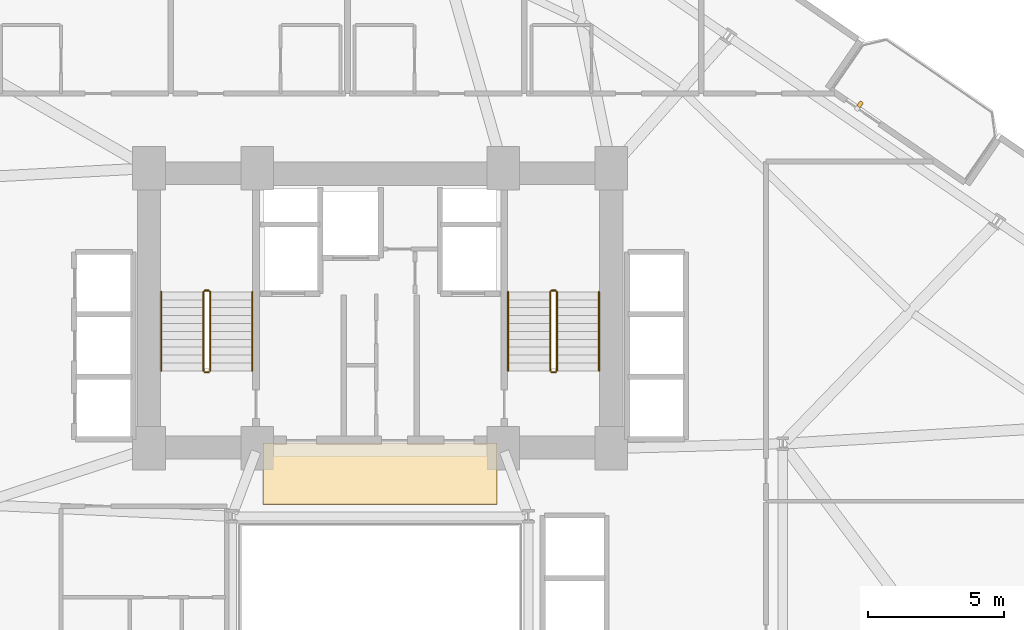
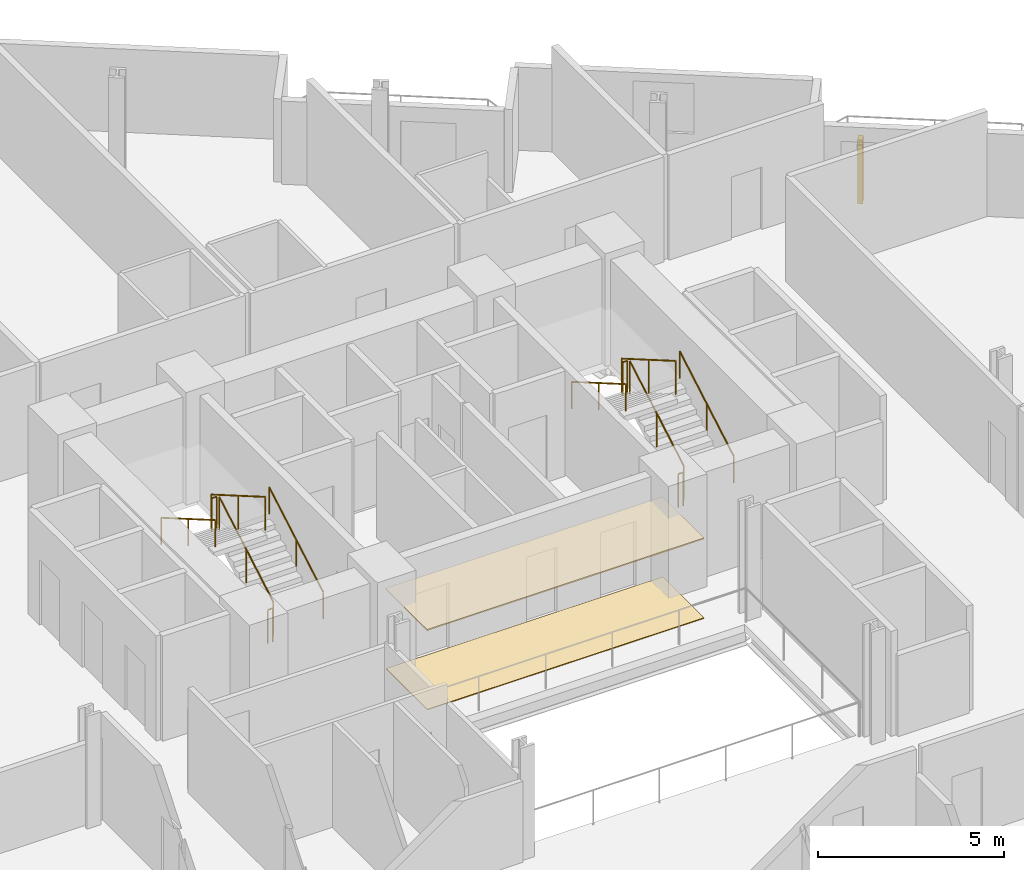
# One storey, part 26 of 27: 12 railings, 2 coverings, 1 shading device.
"""IFC4 building model written with IfcOpenShell, lengths in metres."""

from ifc_helpers import new_model, si_unit, direction, frame, origin, origin_2d, place, context, subcontext, project, spatial, rectangle, circle, extrude, source, transform, mapped, material, layer, layer_set, type_object, element, save


model = new_model("IFC4")

# Units and contexts
model_context = context("Model", 3, precision=1e-05, world=origin(), true_north=direction((0.0, 1.0)))
body_context = subcontext(model_context, "Body", "Model", "MODEL_VIEW")
ifc_project = project(units=[si_unit("LENGTHUNIT", "METRE"), si_unit("AREAUNIT", "SQUARE_METRE"), si_unit("VOLUMEUNIT", "CUBIC_METRE"), si_unit("PLANEANGLEUNIT", "RADIAN"), si_unit("MASSUNIT", "GRAM", prefix="KILO")], contexts=[model_context])

# Site, building, storey
site_placement = place(None, origin())
site = spatial("IfcSite", under=ifc_project, at=site_placement, CompositionType="ELEMENT")
building_placement = place(site_placement, origin())
building = spatial("IfcBuilding", under=site, at=building_placement, Name="Varnelok Gate Tower", CompositionType="ELEMENT")
storey_placement = place(building_placement, frame((0.0, 0.0, 60.300048828125)))
storey = spatial("IfcBuildingStorey", under=building, at=storey_placement, Name="L14", CompositionType="ELEMENT", Elevation=60.300048828125)

# Railings
ifc_material_1 = material(Name="Brushed Stainless Steel AISI 316", Category="steel")
railing_type_1 = type_object("IfcRailingType", Name="RL-HANDRAIL-900", PredefinedType="HANDRAIL", material=ifc_material_1)
railing_1_placement = place(storey_placement, frame((34.5, 31.60009765625, 0.168212890625)))
element("IfcRailing", 1, at=railing_1_placement, inside=storey, type_object=railing_type_1, Name="L14 ST-1 stair handrail 1", PredefinedType="HANDRAIL", context=body_context, shape_type="SweptSolid", body=[
    extrude(circle(Radius=0.02392578125, at=origin_2d()), frame((0.0, 0.0, 0.8759765625), z_axis=(0.0, 0.86507038078, 0.501650512107), x_axis=(-1.0, 0.0, 0.0)), (0.0, 0.0, 1.0), 3.352294921875),
    extrude(circle(Radius=0.02099609375, at=origin_2d()), origin(), (0.0, 0.0, 1.0), 0.851806640625),
    extrude(circle(Radius=0.02099609375, at=origin_2d()), frame((0.0, 1.449951171875, 0.8408203125)), (0.0, 0.0, 1.0), 0.851806640625),
    extrude(circle(Radius=0.02099609375, at=origin_2d()), frame((0.0, 2.89990234375, 1.681640625)), (0.0, 0.0, 1.0), 0.851806640625),
])
railing_2_placement = place(storey_placement, frame((31.14990234375, 34.5, 2.01806640625)))
element("IfcRailing", 2, at=railing_2_placement, inside=storey, type_object=railing_type_1, Name="L14 ST-1 stair handrail 2", PredefinedType="HANDRAIL", context=body_context, shape_type="SweptSolid", body=[
    extrude(circle(Radius=0.02392578125, at=origin_2d()), frame((0.0, 0.0, 0.8759765625), z_axis=(0.0, -0.865038774852, 0.501705010941), x_axis=(1.0, 0.0, 0.0)), (0.0, 0.0, 1.0), 3.352294921875),
    extrude(circle(Radius=0.02099609375, at=origin_2d()), origin(), (0.0, 0.0, 1.0), 0.851806640625),
    extrude(circle(Radius=0.02099609375, at=origin_2d()), frame((0.0, -1.449951171875, 0.8408203125)), (0.0, 0.0, 1.0), 0.851806640625),
    extrude(circle(Radius=0.02099609375, at=origin_2d()), frame((0.0, -2.89990234375, 1.681884765625)), (0.0, 0.0, 1.0), 0.851806640625),
])
railing_3_placement = place(storey_placement, frame((47.25, 31.60009765625, 0.168212890625)))
element("IfcRailing", 3, at=railing_3_placement, inside=storey, type_object=railing_type_1, Name="L14 ST-2 stair handrail 1", PredefinedType="HANDRAIL", context=body_context, shape_type="SweptSolid", body=[
    extrude(circle(Radius=0.02392578125, at=origin_2d()), frame((0.0, 0.0, 0.8759765625), z_axis=(0.0, 0.86507038078, 0.501650512107), x_axis=(-1.0, 0.0, 0.0)), (0.0, 0.0, 1.0), 3.352294921875),
    extrude(circle(Radius=0.02099609375, at=origin_2d()), origin(), (0.0, 0.0, 1.0), 0.851806640625),
    extrude(circle(Radius=0.02099609375, at=origin_2d()), frame((0.0, 1.449951171875, 0.8408203125)), (0.0, 0.0, 1.0), 0.851806640625),
    extrude(circle(Radius=0.02099609375, at=origin_2d()), frame((0.0, 2.89990234375, 1.681640625)), (0.0, 0.0, 1.0), 0.851806640625),
])
railing_4_placement = place(storey_placement, frame((43.89990234375, 34.5, 2.01806640625)))
element("IfcRailing", 4, at=railing_4_placement, inside=storey, type_object=railing_type_1, Name="L14 ST-2 stair handrail 2", PredefinedType="HANDRAIL", context=body_context, shape_type="SweptSolid", body=[
    extrude(circle(Radius=0.02392578125, at=origin_2d()), frame((0.0, 0.0, 0.8759765625), z_axis=(0.0, -0.865038774852, 0.501705010941), x_axis=(1.0, 0.0, 0.0)), (0.0, 0.0, 1.0), 3.352294921875),
    extrude(circle(Radius=0.02099609375, at=origin_2d()), origin(), (0.0, 0.0, 1.0), 0.851806640625),
    extrude(circle(Radius=0.02099609375, at=origin_2d()), frame((0.0, -1.449951171875, 0.8408203125)), (0.0, 0.0, 1.0), 0.851806640625),
    extrude(circle(Radius=0.02099609375, at=origin_2d()), frame((0.0, -2.89990234375, 1.681884765625)), (0.0, 0.0, 1.0), 0.851806640625),
])
ifc_material_2 = material(Name="Galvanized Steel Grade S350GD", Category="steel")
railing_type_2 = type_object("IfcRailingType", Name="RL-STAIR-GUARD1120", PredefinedType="GUARDRAIL", material=ifc_material_2)
railing_5_placement = place(storey_placement, frame((32.949951171875, 31.60009765625, 0.168212890625)))
element("IfcRailing", 5, at=railing_5_placement, inside=storey, type_object=railing_type_2, Name="L14 ST-1 stair guard 1", PredefinedType="GUARDRAIL", context=body_context, shape_type="SweptSolid", body=[
    extrude(circle(Radius=0.02392578125, at=origin_2d()), frame((0.0, 0.0, 1.09619140625), z_axis=(0.0, 0.86507038078, 0.501650512107), x_axis=(-1.0, 0.0, 0.0)), (0.0, 0.0, 1.0), 3.352294921875),
    extrude(circle(Radius=0.02099609375, at=origin_2d()), origin(), (0.0, 0.0, 1.0), 1.072021484375),
    extrude(circle(Radius=0.02099609375, at=origin_2d()), frame((0.0, 1.449951171875, 0.8408203125)), (0.0, 0.0, 1.0), 1.072021484375),
    extrude(circle(Radius=0.02099609375, at=origin_2d()), frame((0.0, 2.89990234375, 1.681640625)), (0.0, 0.0, 1.0), 1.072021484375),
])
railing_6_placement = place(storey_placement, frame((32.89990234375, 34.550048828125, 1.849853515625)))
element("IfcRailing", 6, at=railing_6_placement, inside=storey, type_object=railing_type_2, Name="L14 ST-1 stair guard 2", PredefinedType="GUARDRAIL", context=body_context, shape_type="SweptSolid", body=[
    extrude(circle(Radius=0.02392578125, at=origin_2d()), frame((0.0, 0.0, 1.09619140625), z_axis=(-1.0, 0.0, 0.0), x_axis=(0.0, -1.0, 0.0)), (0.0, 0.0, 1.0), 0.14990234375),
    extrude(circle(Radius=0.02099609375, at=origin_2d()), origin(), (0.0, 0.0, 1.0), 1.072021484375),
    extrude(circle(Radius=0.02099609375, at=origin_2d()), frame((-0.14990234375, 0.0, 0.0)), (0.0, 0.0, 1.0), 1.072021484375),
])
railing_7_placement = place(storey_placement, frame((32.699951171875, 34.5, 2.01806640625)))
element("IfcRailing", 7, at=railing_7_placement, inside=storey, type_object=railing_type_2, Name="L14 ST-1 stair guard 3", PredefinedType="GUARDRAIL", context=body_context, shape_type="SweptSolid", body=[
    extrude(circle(Radius=0.02392578125, at=origin_2d()), frame((0.0, 0.0, 1.09619140625), z_axis=(0.0, -0.865038774852, 0.501705010941), x_axis=(1.0, 0.0, 0.0)), (0.0, 0.0, 1.0), 3.352294921875),
    extrude(circle(Radius=0.02099609375, at=origin_2d()), origin(), (0.0, 0.0, 1.0), 1.072021484375),
    extrude(circle(Radius=0.02099609375, at=origin_2d()), frame((0.0, -1.449951171875, 0.8408203125)), (0.0, 0.0, 1.0), 1.072021484375),
    extrude(circle(Radius=0.02099609375, at=origin_2d()), frame((0.0, -2.89990234375, 1.681884765625)), (0.0, 0.0, 1.0), 1.072021484375),
])
railing_8_placement = place(storey_placement, frame((32.89990234375, 31.550048828125, 0.0)))
element("IfcRailing", 8, at=railing_8_placement, inside=storey, type_object=railing_type_2, Name="L14 ST-1 stair guard 4", PredefinedType="GUARDRAIL", context=body_context, shape_type="SweptSolid", body=[
    extrude(circle(Radius=0.02392578125, at=origin_2d()), frame((0.0, 0.0, 1.09619140625), z_axis=(-1.0, 0.0, 0.0), x_axis=(0.0, -1.0, 0.0)), (0.0, 0.0, 1.0), 0.14990234375),
    extrude(circle(Radius=0.02099609375, at=origin_2d()), origin(), (0.0, 0.0, 1.0), 1.072021484375),
    extrude(circle(Radius=0.02099609375, at=origin_2d()), frame((-0.14990234375, 0.0, 0.0)), (0.0, 0.0, 1.0), 1.072021484375),
])
railing_9_placement = place(storey_placement, frame((45.699951171875, 31.60009765625, 0.168212890625)))
element("IfcRailing", 9, at=railing_9_placement, inside=storey, type_object=railing_type_2, Name="L14 ST-2 stair guard 1", PredefinedType="GUARDRAIL", context=body_context, shape_type="SweptSolid", body=[
    extrude(circle(Radius=0.02392578125, at=origin_2d()), frame((0.0, 0.0, 1.09619140625), z_axis=(0.0, 0.86507038078, 0.501650512107), x_axis=(-1.0, 0.0, 0.0)), (0.0, 0.0, 1.0), 3.352294921875),
    extrude(circle(Radius=0.02099609375, at=origin_2d()), origin(), (0.0, 0.0, 1.0), 1.072021484375),
    extrude(circle(Radius=0.02099609375, at=origin_2d()), frame((0.0, 1.449951171875, 0.8408203125)), (0.0, 0.0, 1.0), 1.072021484375),
    extrude(circle(Radius=0.02099609375, at=origin_2d()), frame((0.0, 2.89990234375, 1.681640625)), (0.0, 0.0, 1.0), 1.072021484375),
])
railing_10_placement = place(storey_placement, frame((45.64990234375, 34.550048828125, 1.849853515625)))
element("IfcRailing", 10, at=railing_10_placement, inside=storey, type_object=railing_type_2, Name="L14 ST-2 stair guard 2", PredefinedType="GUARDRAIL", context=body_context, shape_type="SweptSolid", body=[
    extrude(circle(Radius=0.02392578125, at=origin_2d()), frame((0.0, 0.0, 1.09619140625), z_axis=(-1.0, 0.0, 0.0), x_axis=(0.0, -1.0, 0.0)), (0.0, 0.0, 1.0), 0.14990234375),
    extrude(circle(Radius=0.02099609375, at=origin_2d()), origin(), (0.0, 0.0, 1.0), 1.072021484375),
    extrude(circle(Radius=0.02099609375, at=origin_2d()), frame((-0.14990234375, 0.0, 0.0)), (0.0, 0.0, 1.0), 1.072021484375),
])
railing_11_placement = place(storey_placement, frame((45.449951171875, 34.5, 2.01806640625)))
element("IfcRailing", 11, at=railing_11_placement, inside=storey, type_object=railing_type_2, Name="L14 ST-2 stair guard 3", PredefinedType="GUARDRAIL", context=body_context, shape_type="SweptSolid", body=[
    extrude(circle(Radius=0.02392578125, at=origin_2d()), frame((0.0, 0.0, 1.09619140625), z_axis=(0.0, -0.865038774852, 0.501705010941), x_axis=(1.0, 0.0, 0.0)), (0.0, 0.0, 1.0), 3.352294921875),
    extrude(circle(Radius=0.02099609375, at=origin_2d()), origin(), (0.0, 0.0, 1.0), 1.072021484375),
    extrude(circle(Radius=0.02099609375, at=origin_2d()), frame((0.0, -1.449951171875, 0.8408203125)), (0.0, 0.0, 1.0), 1.072021484375),
    extrude(circle(Radius=0.02099609375, at=origin_2d()), frame((0.0, -2.89990234375, 1.681884765625)), (0.0, 0.0, 1.0), 1.072021484375),
])
railing_12_placement = place(storey_placement, frame((45.64990234375, 31.550048828125, 0.0)))
element("IfcRailing", 12, at=railing_12_placement, inside=storey, type_object=railing_type_2, Name="L14 ST-2 stair guard 4", PredefinedType="GUARDRAIL", context=body_context, shape_type="SweptSolid", body=[
    extrude(circle(Radius=0.02392578125, at=origin_2d()), frame((0.0, 0.0, 1.09619140625), z_axis=(-1.0, 0.0, 0.0), x_axis=(0.0, -1.0, 0.0)), (0.0, 0.0, 1.0), 0.14990234375),
    extrude(circle(Radius=0.02099609375, at=origin_2d()), origin(), (0.0, 0.0, 1.0), 1.072021484375),
    extrude(circle(Radius=0.02099609375, at=origin_2d()), frame((-0.14990234375, 0.0, 0.0)), (0.0, 0.0, 1.0), 1.072021484375),
])

# Shading device
ifc_material_3 = material(Name="Glazed Architectural Terracotta Ceramic", Category="masonry")
shading_device_type = type_object("IfcShadingDeviceType", Name="SHD-TERRA-BAGUETTE", PredefinedType="USERDEFINED", material=ifc_material_3)
shared_shape_1 = source(origin(), body_context, "Body", "SweptSolid", [
    extrude(rectangle(XDim=0.139892578125, YDim=0.219970703125, at=origin_2d()), origin(), (0.0, 0.0, 1.0), 2.10009765625),
])
shading_device_placement = place(storey_placement, frame((56.847412109375, 41.400390625, 0.099853515625), z_axis=(0.0, 0.0, 1.0), x_axis=(0.823532597628, -0.567268949127, 0.0)))
element("IfcShadingDevice", 13, at=shading_device_placement, inside=storey, type_object=shading_device_type, Name="L14 Terracotta Ceramic Baguette Sunscreen 4.1", ObjectType="BAGUETTE", PredefinedType="USERDEFINED", context=body_context, shape_type="MappedRepresentation", body=[
    mapped(shared_shape_1, transform((0.0, 0.0, 0.0), scale=1.0)),
])

# Coverings
ifc_material_4 = material(Name="Honed Travertine Stone Flooring", Category="masonry")
ifc_layer_1 = layer(ifc_material_4, 0.02490234375)
ifc_layer_set_1 = layer_set([ifc_layer_1], Name="Honed Travertine Stone Flooring")
covering_type_1 = type_object("IfcCoveringType", Name="COV-FLOR-STONE", PredefinedType="FLOORING", material=ifc_layer_set_1)
shared_shape_2 = source(origin(), body_context, "Body", "SweptSolid", [
    extrude(rectangle(XDim=8.60009765625, YDim=2.219970703125, at=origin_2d()), origin(), (0.0, 0.0, 1.0), 0.02490234375),
])
covering_1_placement = place(storey_placement, frame((39.199951171875, 27.800048828125, 0.0), z_axis=(0.0, 0.0, 1.0), x_axis=(1.0, 0.0, 0.0)))
element("IfcCovering", 14, at=covering_1_placement, inside=storey, type_object=covering_type_1, Name="L14 Core Gallery Stone Flooring", PredefinedType="FLOORING", context=body_context, shape_type="MappedRepresentation", body=[
    mapped(shared_shape_2, transform((0.0, 0.0, 0.0), scale=1.0)),
])
ifc_material_5 = material(Name="Mineral Fiber Acoustic Ceiling Tile")
ifc_layer_2 = layer(ifc_material_5, 0.0400390625)
ifc_layer_set_2 = layer_set([ifc_layer_2], Name="Mineral Fiber Acoustic Ceiling Tile")
covering_type_2 = type_object("IfcCoveringType", Name="COV-CEIL-ACOUST", PredefinedType="CEILING", material=ifc_layer_set_2)
shared_shape_3 = source(origin(), body_context, "Body", "SweptSolid", [
    extrude(rectangle(XDim=8.60009765625, YDim=2.239990234375, at=origin_2d()), origin(), (0.0, 0.0, 1.0), 0.0400390625),
])
covering_2_placement = place(storey_placement, frame((39.199951171875, 27.820068359375, 2.599853515625), z_axis=(0.0, 0.0, 1.0), x_axis=(1.0, 0.0, 0.0)))
element("IfcCovering", 15, at=covering_2_placement, inside=storey, type_object=covering_type_2, Name="L14 Core Gallery Acoustic Ceiling", PredefinedType="CEILING", context=body_context, shape_type="MappedRepresentation", body=[
    mapped(shared_shape_3, transform((0.0, 0.0, 0.0), scale=1.0)),
])

save(model, "model.ifc")
